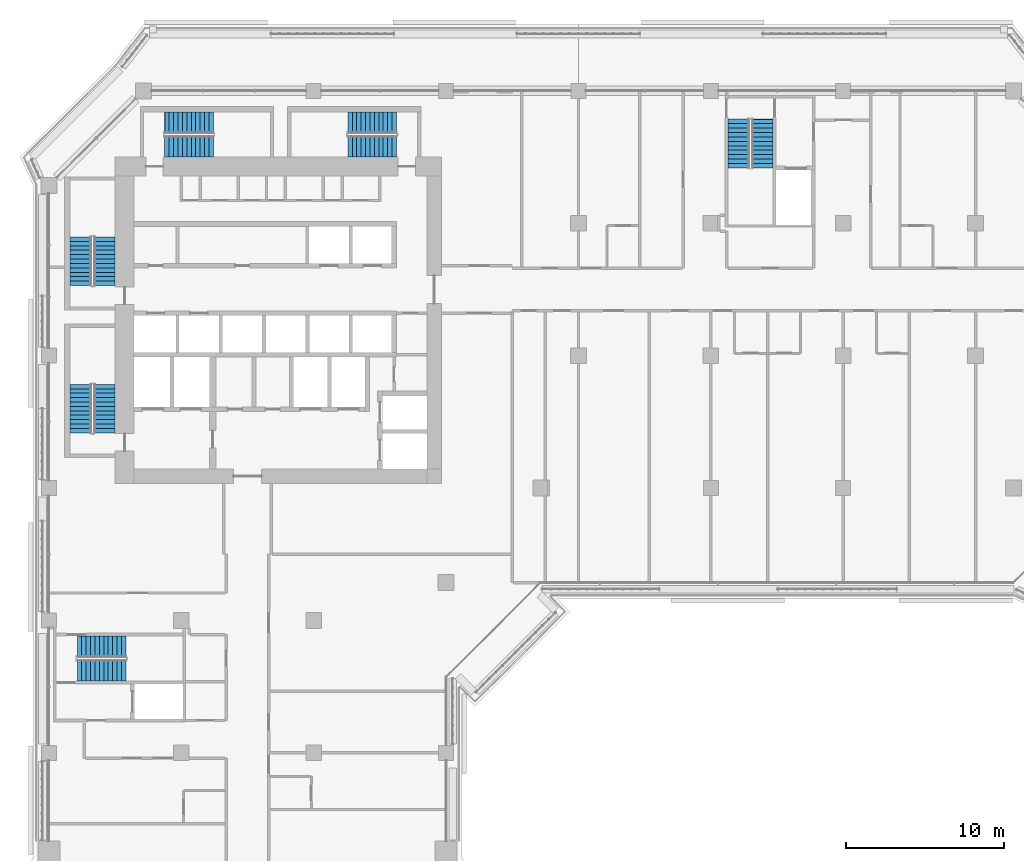
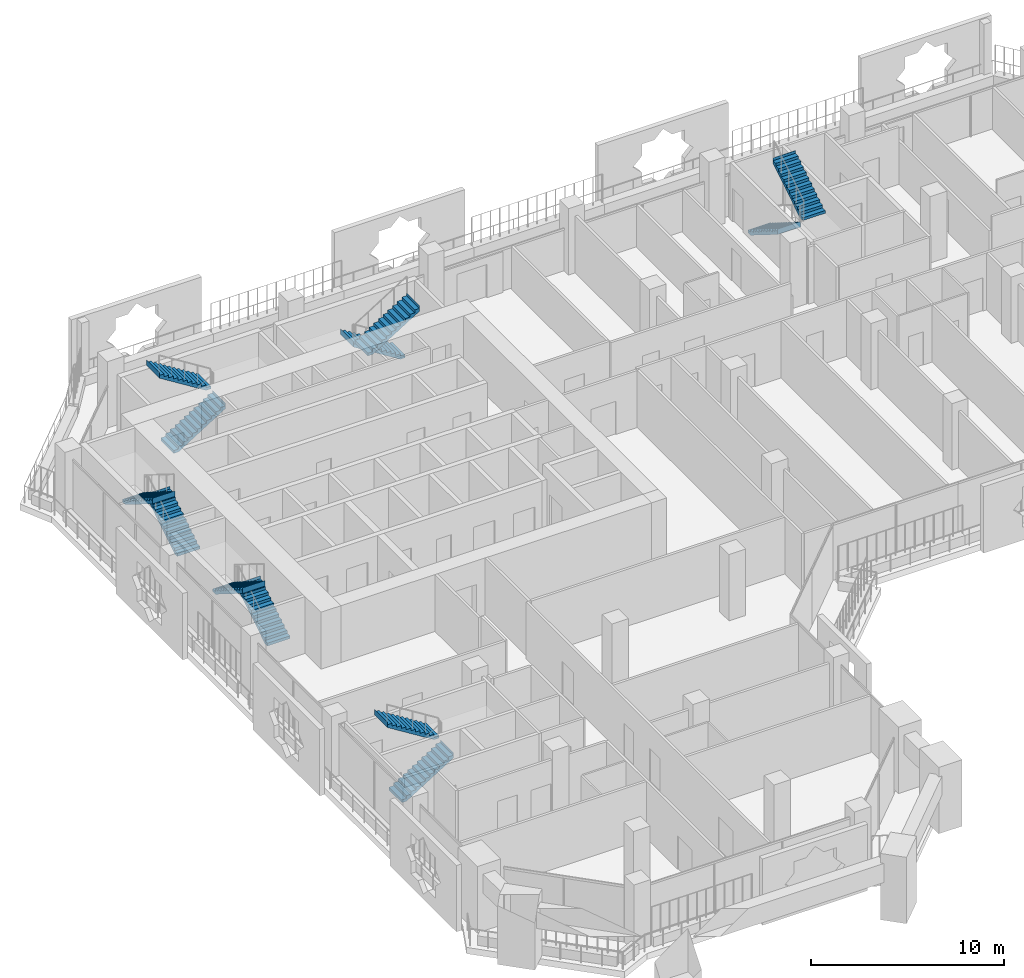
# One storey, part 15 of 23: 12 stair flights, 6 elements without a shape of their own.
"""IFC4 building model written with IfcOpenShell, lengths in metres."""

from ifc_helpers import new_model, si_unit, direction, frame, origin, place, context, subcontext, project, spatial, polyline, outline, extrude, material, type_object, element, aggregate, save


model = new_model("IFC4")

# Units and contexts
model_context = context("Model", 3, precision=1e-05, world=origin(), true_north=direction((0.0, 1.0)))
body_context = subcontext(model_context, "Body", "Model", "MODEL_VIEW")
ifc_project = project(units=[si_unit("LENGTHUNIT", "METRE"), si_unit("AREAUNIT", "SQUARE_METRE"), si_unit("VOLUMEUNIT", "CUBIC_METRE"), si_unit("PLANEANGLEUNIT", "RADIAN"), si_unit("MASSUNIT", "GRAM", prefix="KILO")], contexts=[model_context])

# Site, building, storey
site_placement = place(None, origin())
site = spatial("IfcSite", under=ifc_project, at=site_placement, CompositionType="ELEMENT")
building_placement = place(site_placement, origin())
building = spatial("IfcBuilding", under=site, at=building_placement, Name="Kawkab Arch Medical Tower", CompositionType="ELEMENT")
storey_placement = place(building_placement, frame((0.0, 0.0, 175.199951171875)))
storey = spatial("IfcBuildingStorey", under=building, at=storey_placement, Name="L40", CompositionType="ELEMENT", Elevation=175.199951171875)

# Stair, stair flights
ifc_material_1 = material(Name="Concrete C40/50", Category="concrete")
stair_type = type_object("IfcStairType", Name="Exit stair 1350", PredefinedType="HALF_TURN_STAIR", material=ifc_material_1)
placement = place(storey_placement, origin())
stair_1 = element("IfcStair", 1, at=placement, inside=storey, type_object=stair_type, Name="L40 Exit stair ST1", PredefinedType="HALF_TURN_STAIR")
ifc_material_2 = material(Name="Concrete C40/50", Category="concrete")
stair_flight_type = type_object("IfcStairFlightType", Name="Exit stair flight 1350", PredefinedType="STRAIGHT", material=ifc_material_2)
stair_flight_1_placement = place(storey_placement, frame((3.52490234375, -12.35009765625, 0.0), z_axis=(0.0, 0.0, 1.0), x_axis=(0.0, 1.0, 0.0)))
stair_flight_1 = element("IfcStairFlight", 2, at=stair_flight_1_placement, type_object=stair_flight_type, Name="ST1 flight 1", NumberOfRisers=12, NumberOfTreads=11, PredefinedType="STRAIGHT", RiserHeight=0.175, TreadLength=0.28, context=body_context, shape_type="SweptSolid", body=[
    extrude(outline(polyline([(-0.0029296875, 0.0), (-0.0029296875, 0.175048828125), (0.0, 0.175048828125), (0.280029296875, 0.175048828125), (0.280029296875, 0.35009765625), (0.56005859375, 0.35009765625), (0.56005859375, 0.52490234375), (0.840087890625, 0.52490234375), (0.840087890625, 0.699951171875), (1.1201171875, 0.699951171875), (1.1201171875, 0.875), (1.39990234375, 0.875), (1.39990234375, 1.050048828125), (1.679931640625, 1.050048828125), (1.679931640625, 1.22509765625), (1.9599609375, 1.22509765625), (1.9599609375, 1.39990234375), (2.239990234375, 1.39990234375), (2.239990234375, 1.574951171875), (2.52001953125, 1.574951171875), (2.52001953125, 1.75), (2.800048828125, 1.75), (2.800048828125, 1.925048828125), (3.080078125, 1.925048828125), (3.080078125, 2.10009765625), (3.0830078125, 2.10009765625), (3.0830078125, 1.748291015625), (3.080078125, 1.748291015625), (0.28271484375, 0.0), (-0.0029296875, 0.0)])), frame((0.0, 0.675048828125, 0.0), z_axis=(0.0, -1.0, 0.0), x_axis=(1.0, 0.0, 0.0)), (0.0, 0.0, 1.0), 1.35009765625),
])
stair_flight_2_placement = place(storey_placement, frame((2.02490234375, -9.27001953125, 2.10009765625), z_axis=(0.0, 0.0, 1.0), x_axis=(0.0, -1.0, 0.0)))
stair_flight_2 = element("IfcStairFlight", 3, at=stair_flight_2_placement, type_object=stair_flight_type, Name="ST1 flight 2", NumberOfRisers=12, NumberOfTreads=11, PredefinedType="STRAIGHT", RiserHeight=0.175, TreadLength=0.28, context=body_context, shape_type="SweptSolid", body=[
    extrude(outline(polyline([(-0.0029296875, 0.0), (-0.0029296875, 0.175048828125), (0.0, 0.175048828125), (0.280029296875, 0.175048828125), (0.280029296875, 0.35009765625), (0.56005859375, 0.35009765625), (0.56005859375, 0.52490234375), (0.840087890625, 0.52490234375), (0.840087890625, 0.699951171875), (1.1201171875, 0.699951171875), (1.1201171875, 0.875), (1.39990234375, 0.875), (1.39990234375, 1.050048828125), (1.679931640625, 1.050048828125), (1.679931640625, 1.22509765625), (1.9599609375, 1.22509765625), (1.9599609375, 1.39990234375), (2.239990234375, 1.39990234375), (2.239990234375, 1.574951171875), (2.52001953125, 1.574951171875), (2.52001953125, 1.75), (2.800048828125, 1.75), (2.800048828125, 1.925048828125), (3.080078125, 1.925048828125), (3.080078125, 2.10009765625), (3.0830078125, 2.10009765625), (3.0830078125, 1.748291015625), (3.080078125, 1.748291015625), (0.28271484375, 0.0), (-0.0029296875, 0.0)])), frame((0.0, 0.675048828125, 0.0), z_axis=(0.0, -1.0, 0.0), x_axis=(1.0, 0.0, 0.0)), (0.0, 0.0, 1.0), 1.35009765625),
])
aggregate(stair_1, [stair_flight_1, stair_flight_2])

stair_2 = element("IfcStair", 4, at=placement, inside=storey, type_object=stair_type, Name="L40 Exit stair ST2", PredefinedType="HALF_TURN_STAIR")
stair_flight_3_placement = place(storey_placement, frame((3.52490234375, -21.699951171875, 0.0), z_axis=(0.0, 0.0, 1.0), x_axis=(0.0, 1.0, 0.0)))
stair_flight_3 = element("IfcStairFlight", 5, at=stair_flight_3_placement, type_object=stair_flight_type, Name="ST2 flight 1", NumberOfRisers=12, NumberOfTreads=11, PredefinedType="STRAIGHT", RiserHeight=0.175, TreadLength=0.28, context=body_context, shape_type="SweptSolid", body=[
    extrude(outline(polyline([(-0.0029296875, 0.0), (-0.0029296875, 0.175048828125), (0.0, 0.175048828125), (0.280029296875, 0.175048828125), (0.280029296875, 0.35009765625), (0.56005859375, 0.35009765625), (0.56005859375, 0.52490234375), (0.840087890625, 0.52490234375), (0.840087890625, 0.699951171875), (1.1201171875, 0.699951171875), (1.1201171875, 0.875), (1.39990234375, 0.875), (1.39990234375, 1.050048828125), (1.679931640625, 1.050048828125), (1.679931640625, 1.22509765625), (1.9599609375, 1.22509765625), (1.9599609375, 1.39990234375), (2.239990234375, 1.39990234375), (2.239990234375, 1.574951171875), (2.52001953125, 1.574951171875), (2.52001953125, 1.75), (2.800048828125, 1.75), (2.800048828125, 1.925048828125), (3.080078125, 1.925048828125), (3.080078125, 2.10009765625), (3.0830078125, 2.10009765625), (3.0830078125, 1.748291015625), (3.080078125, 1.748291015625), (0.28271484375, 0.0), (-0.0029296875, 0.0)])), frame((0.0, 0.675048828125, 0.0), z_axis=(0.0, -1.0, 0.0), x_axis=(1.0, 0.0, 0.0)), (0.0, 0.0, 1.0), 1.35009765625),
])
stair_flight_4_placement = place(storey_placement, frame((2.02490234375, -18.6201171875, 2.10009765625), z_axis=(0.0, 0.0, 1.0), x_axis=(0.0, -1.0, 0.0)))
stair_flight_4 = element("IfcStairFlight", 6, at=stair_flight_4_placement, type_object=stair_flight_type, Name="ST2 flight 2", NumberOfRisers=12, NumberOfTreads=11, PredefinedType="STRAIGHT", RiserHeight=0.175, TreadLength=0.28, context=body_context, shape_type="SweptSolid", body=[
    extrude(outline(polyline([(-0.0029296875, 0.0), (-0.0029296875, 0.175048828125), (0.0, 0.175048828125), (0.280029296875, 0.175048828125), (0.280029296875, 0.35009765625), (0.56005859375, 0.35009765625), (0.56005859375, 0.52490234375), (0.840087890625, 0.52490234375), (0.840087890625, 0.699951171875), (1.1201171875, 0.699951171875), (1.1201171875, 0.875), (1.39990234375, 0.875), (1.39990234375, 1.050048828125), (1.679931640625, 1.050048828125), (1.679931640625, 1.22509765625), (1.9599609375, 1.22509765625), (1.9599609375, 1.39990234375), (2.239990234375, 1.39990234375), (2.239990234375, 1.574951171875), (2.52001953125, 1.574951171875), (2.52001953125, 1.75), (2.800048828125, 1.75), (2.800048828125, 1.925048828125), (3.080078125, 1.925048828125), (3.080078125, 2.10009765625), (3.0830078125, 2.10009765625), (3.0830078125, 1.748291015625), (3.080078125, 1.748291015625), (0.28271484375, 0.0), (-0.0029296875, 0.0)])), frame((0.0, 0.675048828125, 0.0), z_axis=(0.0, -1.0, 0.0), x_axis=(1.0, 0.0, 0.0)), (0.0, 0.0, 1.0), 1.35009765625),
])
aggregate(stair_2, [stair_flight_3, stair_flight_4])

stair_3 = element("IfcStair", 7, at=placement, inside=storey, type_object=stair_type, Name="L40 Exit stair ST3", PredefinedType="HALF_TURN_STAIR")
stair_flight_5_placement = place(storey_placement, frame((7.35009765625, -3.52490234375, 0.0), z_axis=(0.0, 0.0, 1.0), x_axis=(1.0, 0.0, 0.0)))
stair_flight_5 = element("IfcStairFlight", 8, at=stair_flight_5_placement, type_object=stair_flight_type, Name="ST3 flight 1", NumberOfRisers=12, NumberOfTreads=11, PredefinedType="STRAIGHT", RiserHeight=0.175, TreadLength=0.28, context=body_context, shape_type="SweptSolid", body=[
    extrude(outline(polyline([(-0.0029296875, 0.0), (-0.0029296875, 0.175048828125), (0.0, 0.175048828125), (0.280029296875, 0.175048828125), (0.280029296875, 0.35009765625), (0.56005859375, 0.35009765625), (0.56005859375, 0.52490234375), (0.840087890625, 0.52490234375), (0.840087890625, 0.699951171875), (1.1201171875, 0.699951171875), (1.1201171875, 0.875), (1.39990234375, 0.875), (1.39990234375, 1.050048828125), (1.679931640625, 1.050048828125), (1.679931640625, 1.22509765625), (1.9599609375, 1.22509765625), (1.9599609375, 1.39990234375), (2.239990234375, 1.39990234375), (2.239990234375, 1.574951171875), (2.52001953125, 1.574951171875), (2.52001953125, 1.75), (2.800048828125, 1.75), (2.800048828125, 1.925048828125), (3.080078125, 1.925048828125), (3.080078125, 2.10009765625), (3.0830078125, 2.10009765625), (3.0830078125, 1.748291015625), (3.080078125, 1.748291015625), (0.28271484375, 0.0), (-0.0029296875, 0.0)])), frame((0.0, 0.675048828125, 0.0), z_axis=(0.0, -1.0, 0.0), x_axis=(1.0, 0.0, 0.0)), (0.0, 0.0, 1.0), 1.35009765625),
])
stair_flight_6_placement = place(storey_placement, frame((10.429931640625, -2.02490234375, 2.10009765625), z_axis=(0.0, 0.0, 1.0), x_axis=(-1.0, 0.0, 0.0)))
stair_flight_6 = element("IfcStairFlight", 9, at=stair_flight_6_placement, type_object=stair_flight_type, Name="ST3 flight 2", NumberOfRisers=12, NumberOfTreads=11, PredefinedType="STRAIGHT", RiserHeight=0.175, TreadLength=0.28, context=body_context, shape_type="SweptSolid", body=[
    extrude(outline(polyline([(-0.0029296875, 0.0), (-0.0029296875, 0.175048828125), (0.0, 0.175048828125), (0.280029296875, 0.175048828125), (0.280029296875, 0.35009765625), (0.56005859375, 0.35009765625), (0.56005859375, 0.52490234375), (0.840087890625, 0.52490234375), (0.840087890625, 0.699951171875), (1.1201171875, 0.699951171875), (1.1201171875, 0.875), (1.39990234375, 0.875), (1.39990234375, 1.050048828125), (1.679931640625, 1.050048828125), (1.679931640625, 1.22509765625), (1.9599609375, 1.22509765625), (1.9599609375, 1.39990234375), (2.239990234375, 1.39990234375), (2.239990234375, 1.574951171875), (2.52001953125, 1.574951171875), (2.52001953125, 1.75), (2.800048828125, 1.75), (2.800048828125, 1.925048828125), (3.080078125, 1.925048828125), (3.080078125, 2.10009765625), (3.0830078125, 2.10009765625), (3.0830078125, 1.748291015625), (3.080078125, 1.748291015625), (0.28271484375, 0.0), (-0.0029296875, 0.0)])), frame((0.0, 0.675048828125, 0.0), z_axis=(0.0, -1.0, 0.0), x_axis=(1.0, 0.0, 0.0)), (0.0, 0.0, 1.0), 1.35009765625),
])
aggregate(stair_3, [stair_flight_5, stair_flight_6])

stair_4 = element("IfcStair", 10, at=placement, inside=storey, type_object=stair_type, Name="L40 Exit stair ST4", PredefinedType="HALF_TURN_STAIR")
stair_flight_7_placement = place(storey_placement, frame((22.050048828125, -2.02490234375, 0.0), z_axis=(0.0, 0.0, 1.0), x_axis=(-1.0, 0.0, 0.0)))
stair_flight_7 = element("IfcStairFlight", 11, at=stair_flight_7_placement, type_object=stair_flight_type, Name="ST4 flight 1", NumberOfRisers=12, NumberOfTreads=11, PredefinedType="STRAIGHT", RiserHeight=0.175, TreadLength=0.28, context=body_context, shape_type="SweptSolid", body=[
    extrude(outline(polyline([(-0.0029296875, 0.0), (-0.0029296875, 0.175048828125), (0.0, 0.175048828125), (0.280029296875, 0.175048828125), (0.280029296875, 0.35009765625), (0.56005859375, 0.35009765625), (0.56005859375, 0.52490234375), (0.840087890625, 0.52490234375), (0.840087890625, 0.699951171875), (1.1201171875, 0.699951171875), (1.1201171875, 0.875), (1.39990234375, 0.875), (1.39990234375, 1.050048828125), (1.679931640625, 1.050048828125), (1.679931640625, 1.22509765625), (1.9599609375, 1.22509765625), (1.9599609375, 1.39990234375), (2.239990234375, 1.39990234375), (2.239990234375, 1.574951171875), (2.52001953125, 1.574951171875), (2.52001953125, 1.75), (2.800048828125, 1.75), (2.800048828125, 1.925048828125), (3.080078125, 1.925048828125), (3.080078125, 2.10009765625), (3.0830078125, 2.10009765625), (3.0830078125, 1.748291015625), (3.080078125, 1.748291015625), (0.28271484375, 0.0), (-0.0029296875, 0.0)])), frame((0.0, 0.675048828125, 0.0), z_axis=(0.0, -1.0, 0.0), x_axis=(1.0, 0.0, 0.0)), (0.0, 0.0, 1.0), 1.35009765625),
])
stair_flight_8_placement = place(storey_placement, frame((18.969970703125, -3.52490234375, 2.10009765625), z_axis=(0.0, 0.0, 1.0), x_axis=(1.0, 0.0, 0.0)))
stair_flight_8 = element("IfcStairFlight", 12, at=stair_flight_8_placement, type_object=stair_flight_type, Name="ST4 flight 2", NumberOfRisers=12, NumberOfTreads=11, PredefinedType="STRAIGHT", RiserHeight=0.175, TreadLength=0.28, context=body_context, shape_type="SweptSolid", body=[
    extrude(outline(polyline([(-0.0029296875, 0.0), (-0.0029296875, 0.175048828125), (0.0, 0.175048828125), (0.280029296875, 0.175048828125), (0.280029296875, 0.35009765625), (0.56005859375, 0.35009765625), (0.56005859375, 0.52490234375), (0.840087890625, 0.52490234375), (0.840087890625, 0.699951171875), (1.1201171875, 0.699951171875), (1.1201171875, 0.875), (1.39990234375, 0.875), (1.39990234375, 1.050048828125), (1.679931640625, 1.050048828125), (1.679931640625, 1.22509765625), (1.9599609375, 1.22509765625), (1.9599609375, 1.39990234375), (2.239990234375, 1.39990234375), (2.239990234375, 1.574951171875), (2.52001953125, 1.574951171875), (2.52001953125, 1.75), (2.800048828125, 1.75), (2.800048828125, 1.925048828125), (3.080078125, 1.925048828125), (3.080078125, 2.10009765625), (3.0830078125, 2.10009765625), (3.0830078125, 1.748291015625), (3.080078125, 1.748291015625), (0.28271484375, 0.0), (-0.0029296875, 0.0)])), frame((0.0, 0.675048828125, 0.0), z_axis=(0.0, -1.0, 0.0), x_axis=(1.0, 0.0, 0.0)), (0.0, 0.0, 1.0), 1.35009765625),
])
aggregate(stair_4, [stair_flight_7, stair_flight_8])

stair_5 = element("IfcStair", 13, at=placement, inside=storey, type_object=stair_type, Name="L40 Exit stair ST5", PredefinedType="HALF_TURN_STAIR")
stair_flight_9_placement = place(storey_placement, frame((43.77490234375, -1.800048828125, 0.0), z_axis=(0.0, 0.0, 1.0), x_axis=(0.0, -1.0, 0.0)))
stair_flight_9 = element("IfcStairFlight", 14, at=stair_flight_9_placement, type_object=stair_flight_type, Name="ST5 flight 1", NumberOfRisers=12, NumberOfTreads=11, PredefinedType="STRAIGHT", RiserHeight=0.175, TreadLength=0.28, context=body_context, shape_type="SweptSolid", body=[
    extrude(outline(polyline([(-0.0029296875, 0.0), (-0.0029296875, 0.175048828125), (0.0, 0.175048828125), (0.280029296875, 0.175048828125), (0.280029296875, 0.35009765625), (0.56005859375, 0.35009765625), (0.56005859375, 0.52490234375), (0.840087890625, 0.52490234375), (0.840087890625, 0.699951171875), (1.1201171875, 0.699951171875), (1.1201171875, 0.875), (1.39990234375, 0.875), (1.39990234375, 1.050048828125), (1.679931640625, 1.050048828125), (1.679931640625, 1.22509765625), (1.9599609375, 1.22509765625), (1.9599609375, 1.39990234375), (2.239990234375, 1.39990234375), (2.239990234375, 1.574951171875), (2.52001953125, 1.574951171875), (2.52001953125, 1.75), (2.800048828125, 1.75), (2.800048828125, 1.925048828125), (3.080078125, 1.925048828125), (3.080078125, 2.10009765625), (3.0830078125, 2.10009765625), (3.0830078125, 1.748291015625), (3.080078125, 1.748291015625), (0.28271484375, 0.0), (-0.0029296875, 0.0)])), frame((0.0, 0.675048828125, 0.0), z_axis=(0.0, -1.0, 0.0), x_axis=(1.0, 0.0, 0.0)), (0.0, 0.0, 1.0), 1.35009765625),
])
stair_flight_10_placement = place(storey_placement, frame((45.27490234375, -4.8798828125, 2.10009765625), z_axis=(0.0, 0.0, 1.0), x_axis=(0.0, 1.0, 0.0)))
stair_flight_10 = element("IfcStairFlight", 15, at=stair_flight_10_placement, type_object=stair_flight_type, Name="ST5 flight 2", NumberOfRisers=12, NumberOfTreads=11, PredefinedType="STRAIGHT", RiserHeight=0.175, TreadLength=0.28, context=body_context, shape_type="SweptSolid", body=[
    extrude(outline(polyline([(-0.0029296875, 0.0), (-0.0029296875, 0.175048828125), (0.0, 0.175048828125), (0.280029296875, 0.175048828125), (0.280029296875, 0.35009765625), (0.56005859375, 0.35009765625), (0.56005859375, 0.52490234375), (0.840087890625, 0.52490234375), (0.840087890625, 0.699951171875), (1.1201171875, 0.699951171875), (1.1201171875, 0.875), (1.39990234375, 0.875), (1.39990234375, 1.050048828125), (1.679931640625, 1.050048828125), (1.679931640625, 1.22509765625), (1.9599609375, 1.22509765625), (1.9599609375, 1.39990234375), (2.239990234375, 1.39990234375), (2.239990234375, 1.574951171875), (2.52001953125, 1.574951171875), (2.52001953125, 1.75), (2.800048828125, 1.75), (2.800048828125, 1.925048828125), (3.080078125, 1.925048828125), (3.080078125, 2.10009765625), (3.0830078125, 2.10009765625), (3.0830078125, 1.748291015625), (3.080078125, 1.748291015625), (0.28271484375, 0.0), (-0.0029296875, 0.0)])), frame((0.0, 0.675048828125, 0.0), z_axis=(0.0, -1.0, 0.0), x_axis=(1.0, 0.0, 0.0)), (0.0, 0.0, 1.0), 1.35009765625),
])
aggregate(stair_5, [stair_flight_9, stair_flight_10])

stair_6 = element("IfcStair", 16, at=placement, inside=storey, type_object=stair_type, Name="L40 Exit stair ST6", PredefinedType="HALF_TURN_STAIR")
stair_flight_11_placement = place(storey_placement, frame((1.800048828125, -36.77490234375, 0.0), z_axis=(0.0, 0.0, 1.0), x_axis=(1.0, 0.0, 0.0)))
stair_flight_11 = element("IfcStairFlight", 17, at=stair_flight_11_placement, type_object=stair_flight_type, Name="ST6 flight 1", NumberOfRisers=12, NumberOfTreads=11, PredefinedType="STRAIGHT", RiserHeight=0.175, TreadLength=0.28, context=body_context, shape_type="SweptSolid", body=[
    extrude(outline(polyline([(-0.0029296875, 0.0), (-0.0029296875, 0.175048828125), (0.0, 0.175048828125), (0.280029296875, 0.175048828125), (0.280029296875, 0.35009765625), (0.56005859375, 0.35009765625), (0.56005859375, 0.52490234375), (0.840087890625, 0.52490234375), (0.840087890625, 0.699951171875), (1.1201171875, 0.699951171875), (1.1201171875, 0.875), (1.39990234375, 0.875), (1.39990234375, 1.050048828125), (1.679931640625, 1.050048828125), (1.679931640625, 1.22509765625), (1.9599609375, 1.22509765625), (1.9599609375, 1.39990234375), (2.239990234375, 1.39990234375), (2.239990234375, 1.574951171875), (2.52001953125, 1.574951171875), (2.52001953125, 1.75), (2.800048828125, 1.75), (2.800048828125, 1.925048828125), (3.080078125, 1.925048828125), (3.080078125, 2.10009765625), (3.0830078125, 2.10009765625), (3.0830078125, 1.748291015625), (3.080078125, 1.748291015625), (0.28271484375, 0.0), (-0.0029296875, 0.0)])), frame((0.0, 0.675048828125, 0.0), z_axis=(0.0, -1.0, 0.0), x_axis=(1.0, 0.0, 0.0)), (0.0, 0.0, 1.0), 1.35009765625),
])
stair_flight_12_placement = place(storey_placement, frame((4.8798828125, -35.27490234375, 2.10009765625), z_axis=(0.0, 0.0, 1.0), x_axis=(-1.0, 0.0, 0.0)))
stair_flight_12 = element("IfcStairFlight", 18, at=stair_flight_12_placement, type_object=stair_flight_type, Name="ST6 flight 2", NumberOfRisers=12, NumberOfTreads=11, PredefinedType="STRAIGHT", RiserHeight=0.175, TreadLength=0.28, context=body_context, shape_type="SweptSolid", body=[
    extrude(outline(polyline([(-0.0029296875, 0.0), (-0.0029296875, 0.175048828125), (0.0, 0.175048828125), (0.280029296875, 0.175048828125), (0.280029296875, 0.35009765625), (0.56005859375, 0.35009765625), (0.56005859375, 0.52490234375), (0.840087890625, 0.52490234375), (0.840087890625, 0.699951171875), (1.1201171875, 0.699951171875), (1.1201171875, 0.875), (1.39990234375, 0.875), (1.39990234375, 1.050048828125), (1.679931640625, 1.050048828125), (1.679931640625, 1.22509765625), (1.9599609375, 1.22509765625), (1.9599609375, 1.39990234375), (2.239990234375, 1.39990234375), (2.239990234375, 1.574951171875), (2.52001953125, 1.574951171875), (2.52001953125, 1.75), (2.800048828125, 1.75), (2.800048828125, 1.925048828125), (3.080078125, 1.925048828125), (3.080078125, 2.10009765625), (3.0830078125, 2.10009765625), (3.0830078125, 1.748291015625), (3.080078125, 1.748291015625), (0.28271484375, 0.0), (-0.0029296875, 0.0)])), frame((0.0, 0.675048828125, 0.0), z_axis=(0.0, -1.0, 0.0), x_axis=(1.0, 0.0, 0.0)), (0.0, 0.0, 1.0), 1.35009765625),
])
aggregate(stair_6, [stair_flight_11, stair_flight_12])

save(model, "model.ifc")
